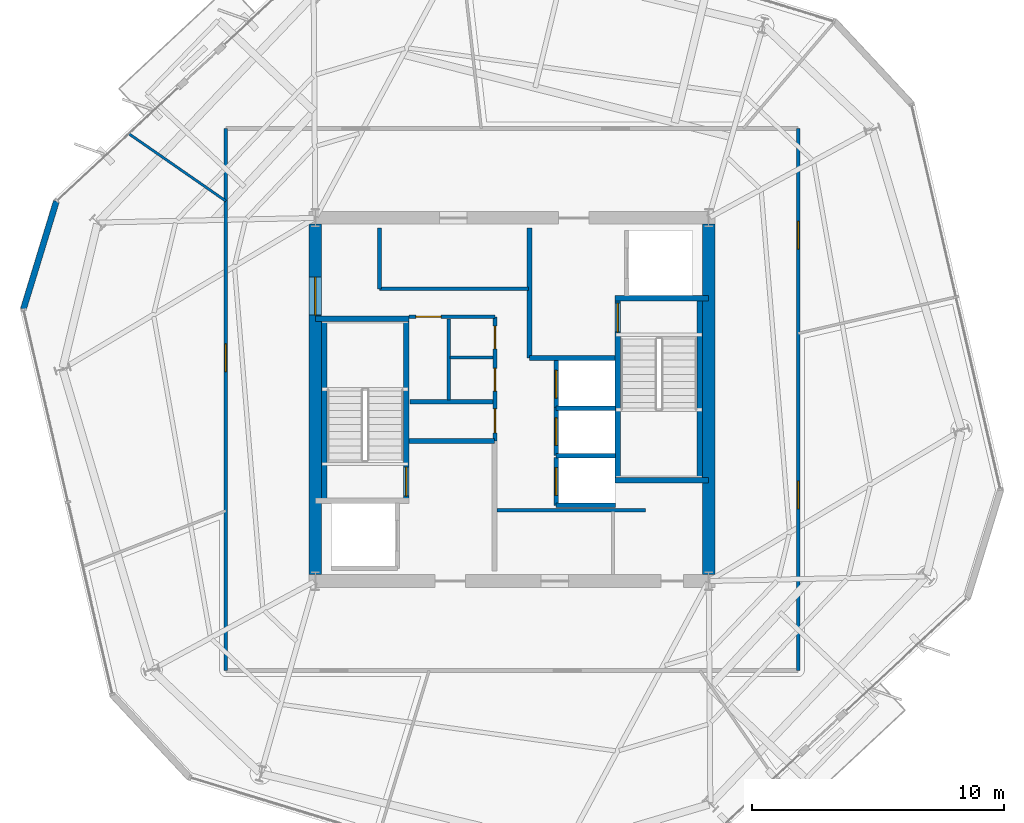
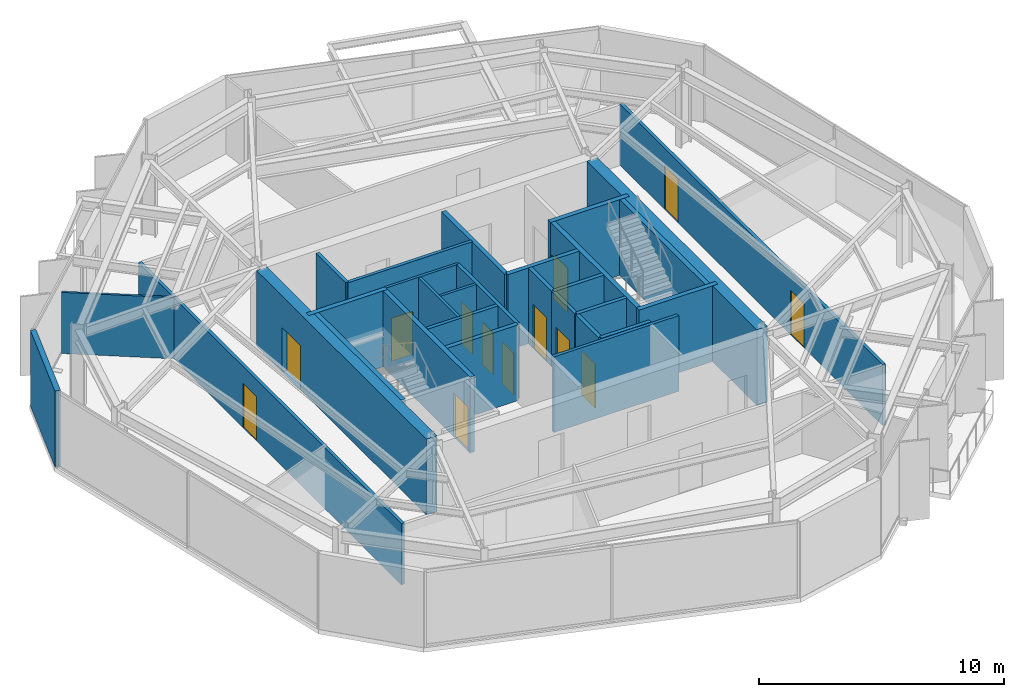
# One storey, part 7 of 11: 30 walls, 13 doors, 13 openings.
"""IFC4 building model written with IfcOpenShell, lengths in metres."""

from ifc_helpers import new_model, si_unit, direction, frame, frame_2d, origin, place, context, subcontext, project, spatial, rectangle, extrude, material, layer, layer_set, type_object, element, fill, save


model = new_model("IFC4")

# Units and contexts
model_context = context("Model", 3, precision=1e-05, world=origin(), true_north=direction((0.0, 1.0)))
body_context = subcontext(model_context, "Body", "Model", "MODEL_VIEW")
ifc_project = project(units=[si_unit("LENGTHUNIT", "METRE"), si_unit("AREAUNIT", "SQUARE_METRE"), si_unit("VOLUMEUNIT", "CUBIC_METRE"), si_unit("PLANEANGLEUNIT", "RADIAN"), si_unit("MASSUNIT", "GRAM", prefix="KILO")], contexts=[model_context])

# Site, building, storey
site_placement = place(None, origin())
site = spatial("IfcSite", under=ifc_project, at=site_placement, CompositionType="ELEMENT")
building_placement = place(site_placement, origin())
building = spatial("IfcBuilding", under=site, at=building_placement, Name="Kranzbogen Civic Tower", CompositionType="ELEMENT")
storey_placement = place(building_placement, frame((0.0, 0.0, 196.800048828125)))
storey = spatial("IfcBuildingStorey", under=building, at=storey_placement, Name="L47", CompositionType="ELEMENT", Elevation=196.800048828125)

# Walls
ifc_material_1 = material(Name="Double-Stud Acoustic Gypsum Partition")
ifc_layer_1 = layer(ifc_material_1, 0.14990234375, Name="Double-Stud Acoustic Gypsum Partition")
ifc_layer_set_1 = layer_set([ifc_layer_1], Name="Double-Stud Acoustic Gypsum Partition")
wall_type_1 = type_object("IfcWallType", Name="Acoustic Corridor and Clinical Partition 150 mm", PredefinedType="PARTITIONING", material=ifc_layer_set_1)
wall_1_placement = place(storey_placement, frame((24.39990234375, 20.610107421875, 0.0), z_axis=(0.0, 0.0, 1.0), x_axis=(1.0, 0.0, 0.0)))
element("IfcWall", 1, at=wall_1_placement, inside=storey, type_object=wall_type_1, Name="L47 records zone North wall", PredefinedType="PARTITIONING", context=body_context, shape_type="SweptSolid", body=[
    extrude(rectangle(XDim=5.900146484375, YDim=0.14990234375, at=frame_2d((2.9501953125, 0.0))), origin(), (0.0, 0.0, 1.0), 3.780029296875),
])
wall_2_placement = place(storey_placement, frame((19.75, 29.389892578125, 0.0), z_axis=(0.0, 0.0, 1.0), x_axis=(1.0, 0.0, 0.0)))
element("IfcWall", 2, at=wall_2_placement, inside=storey, type_object=wall_type_1, Name="L47 digital comms South wall", PredefinedType="PARTITIONING", context=body_context, shape_type="SweptSolid", body=[
    extrude(rectangle(XDim=5.89990234375, YDim=0.14990234375, at=frame_2d((2.949951171875, 0.0))), origin(), (0.0, 0.0, 1.0), 3.780029296875),
])
wall_3_placement = place(storey_placement, frame((19.75, 29.389892578125, 0.0), z_axis=(0.0, 0.0, 1.0), x_axis=(0.0, 1.0, 0.0)))
element("IfcWall", 3, at=wall_3_placement, inside=storey, type_object=wall_type_1, Name="L47 digital comms West wall", PredefinedType="PARTITIONING", context=body_context, shape_type="SweptSolid", body=[
    extrude(rectangle(XDim=2.41015625, YDim=0.14990234375, at=frame_2d((1.205078125, 0.0))), origin(), (0.0, 0.0, 1.0), 3.780029296875),
])

# Wall, openings, doors
wall_4_placement = place(storey_placement, frame((36.35009765625, 35.75, 0.0), z_axis=(0.0, 0.0, 1.0), x_axis=(0.0, -1.0, 0.0)))
wall_4 = element("IfcWall", 4, at=wall_4_placement, inside=storey, type_object=wall_type_1, Name="L47 corridor partition 02", PredefinedType="PARTITIONING", context=body_context, shape_type="SweptSolid", body=[
    extrude(rectangle(XDim=21.5, YDim=0.14990234375, at=frame_2d((10.75, 0.0))), origin(), (0.0, 0.0, 1.0), 3.050048828125),
])
opening_1_placement = place(wall_4_placement, frame((13.985107421875, 0.0, 0.0)))
opening_1 = element("IfcOpeningElement", 5, at=opening_1_placement, cuts=wall_4, Name="Opening D-COR60", PredefinedType="OPENING", context=body_context, shape_type="SweptSolid", body=[
    extrude(rectangle(XDim=1.10009765625, YDim=2.199951171875, at=frame_2d((0.550048828125, 1.10009765625))), frame((0.0, 0.0849609375, 0.0), z_axis=(0.0, -1.0, 0.0), x_axis=(1.0, 0.0, 0.0)), (0.0, 0.0, 1.0), 0.169921875),
])
opening_2_placement = place(wall_4_placement, frame((3.68994140625, 0.0, 0.0)))
opening_2 = element("IfcOpeningElement", 6, at=opening_2_placement, cuts=wall_4, Name="Opening D-COR60", PredefinedType="OPENING", context=body_context, shape_type="SweptSolid", body=[
    extrude(rectangle(XDim=1.10009765625, YDim=2.199951171875, at=frame_2d((0.550048828125, 1.10009765625))), frame((0.0, 0.0849609375, 0.0), z_axis=(0.0, -1.0, 0.0), x_axis=(1.0, 0.0, 0.0)), (0.0, 0.0, 1.0), 0.169921875),
])
ifc_material_2 = material(Name="Oak Timber and Fire Core", Category="wood")
door_type_1 = type_object("IfcDoorType", Name="Corridor Acoustic Fire Door 1100x2200", OperationType="NOTDEFINED", PredefinedType="DOOR", material=ifc_material_2)
door_1_placement = place(opening_1_placement, origin())
door_1 = element("IfcDoor", 7, at=door_1_placement, inside=storey, type_object=door_type_1, Name="L47 Citizen Services Kiosk door", OperationType="SINGLE_SWING_RIGHT", OverallHeight=2.199951171875, OverallWidth=1.10009765625, PredefinedType="DOOR", context=body_context, shape_type="SweptSolid", body=[
    extrude(rectangle(XDim=1.10009765625, YDim=2.199951171875, at=frame_2d((0.550048828125, 1.10009765625))), frame((0.0, 0.02490234375, 0.0), z_axis=(0.0, -1.0, 0.0), x_axis=(1.0, 0.0, 0.0)), (0.0, 0.0, 1.0), 0.050048828125),
])
fill(opening_1, door_1)
door_2_placement = place(opening_2_placement, origin())
door_2 = element("IfcDoor", 8, at=door_2_placement, inside=storey, type_object=door_type_1, Name="L47 Municipal Exhibition Showroom door", OperationType="SINGLE_SWING_LEFT", OverallHeight=2.199951171875, OverallWidth=1.10009765625, PredefinedType="DOOR", context=body_context, shape_type="SweptSolid", body=[
    extrude(rectangle(XDim=1.10009765625, YDim=2.199951171875, at=frame_2d((0.550048828125, 1.10009765625))), frame((0.0, 0.02490234375, 0.0), z_axis=(0.0, -1.0, 0.0), x_axis=(1.0, 0.0, 0.0)), (0.0, 0.0, 1.0), 0.050048828125),
])
fill(opening_2, door_2)

# Wall, opening, door
wall_5_placement = place(storey_placement, frame((13.64990234375, 14.25, 0.0), z_axis=(0.0, 0.0, 1.0), x_axis=(0.0, 1.0, 0.0)))
wall_5 = element("IfcWall", 9, at=wall_5_placement, inside=storey, type_object=wall_type_1, Name="L47 corridor partition 04", PredefinedType="PARTITIONING", context=body_context, shape_type="SweptSolid", body=[
    extrude(rectangle(XDim=21.5, YDim=0.14990234375, at=frame_2d((10.75, 0.0))), origin(), (0.0, 0.0, 1.0), 3.050048828125),
])
opening_3_placement = place(wall_5_placement, frame((11.85302734375, 0.0, 0.0)))
opening_3 = element("IfcOpeningElement", 10, at=opening_3_placement, cuts=wall_5, Name="Opening D-COR60", PredefinedType="OPENING", context=body_context, shape_type="SweptSolid", body=[
    extrude(rectangle(XDim=1.10009765625, YDim=2.199951171875, at=frame_2d((0.550048828125, 1.10009765625))), frame((0.0, 0.0849609375, 0.0), z_axis=(0.0, -1.0, 0.0), x_axis=(1.0, 0.0, 0.0)), (0.0, 0.0, 1.0), 0.169921875),
])
door_3_placement = place(opening_3_placement, origin())
door_3 = element("IfcDoor", 11, at=door_3_placement, inside=storey, type_object=door_type_1, Name="L47 Civic Reference Library door", OperationType="SINGLE_SWING_LEFT", OverallHeight=2.199951171875, OverallWidth=1.10009765625, PredefinedType="DOOR", context=body_context, shape_type="SweptSolid", body=[
    extrude(rectangle(XDim=1.10009765625, YDim=2.199951171875, at=frame_2d((0.550048828125, 1.10009765625))), frame((0.0, 0.02490234375, 0.0), z_axis=(0.0, -1.0, 0.0), x_axis=(1.0, 0.0, 0.0)), (0.0, 0.0, 1.0), 0.050048828125),
])
fill(opening_3, door_3)

ifc_material_3 = material(Name="Insulated Metal-Stud Gypsum Partition")
ifc_layer_2 = layer(ifc_material_3, 0.125, Name="Insulated Metal-Stud Gypsum Partition")
ifc_layer_set_2 = layer_set([ifc_layer_2], Name="Insulated Metal-Stud Gypsum Partition")
wall_type_2 = type_object("IfcWallType", Name="Acoustic Inter-Room Partition 125 mm", PredefinedType="PARTITIONING", material=ifc_layer_set_2)
wall_6_placement = place(storey_placement, frame((20.919921875, 28.280029296875, 0.0), z_axis=(0.0, 0.0, 1.0), x_axis=(1.0, 0.0, 0.0)))
wall_6 = element("IfcWall", 12, at=wall_6_placement, inside=storey, type_object=wall_type_2, Name="L47 core auxiliary North wall", PredefinedType="PARTITIONING", context=body_context, shape_type="SweptSolid", body=[
    extrude(rectangle(XDim=3.405029296875, YDim=0.125, at=frame_2d((1.70263671875, 0.0))), origin(), (0.0, 0.0, 1.0), 3.780029296875),
])
opening_4_placement = place(wall_6_placement, frame((0.27001953125, 0.0, 0.0)))
opening_4 = element("IfcOpeningElement", 13, at=opening_4_placement, cuts=wall_6, Name="Opening D-RSR10", PredefinedType="OPENING", context=body_context, shape_type="SweptSolid", body=[
    extrude(rectangle(XDim=1.0, YDim=2.14990234375, at=frame_2d((0.5, 1.074951171875))), frame((0.0, 0.072509765625, 0.0), z_axis=(0.0, -1.0, 0.0), x_axis=(1.0, 0.0, 0.0)), (0.0, 0.0, 1.0), 0.14501953125),
])
door_type_2 = type_object("IfcDoorType", Name="Core Archive and Riser Fire Door 1000x2150", OperationType="NOTDEFINED", PredefinedType="DOOR", material=ifc_material_2)
door_4_placement = place(opening_4_placement, origin())
door_4 = element("IfcDoor", 14, at=door_4_placement, inside=storey, type_object=door_type_2, Name="L47 Floor Supply Store door", OperationType="SINGLE_SWING_LEFT", OverallHeight=2.14990234375, OverallWidth=1.0, PredefinedType="DOOR", context=body_context, shape_type="SweptSolid", body=[
    extrude(rectangle(XDim=1.0, YDim=2.14990234375, at=frame_2d((0.5, 1.074951171875))), frame((0.0, 0.02490234375, 0.0), z_axis=(0.0, -1.0, 0.0), x_axis=(1.0, 0.0, 0.0)), (0.0, 0.0, 1.0), 0.050048828125),
])
fill(opening_4, door_4)

# Walls
wall_7_placement = place(storey_placement, frame((22.489990234375, 24.969970703125, 0.0), z_axis=(0.0, 0.0, 1.0), x_axis=(0.0, 1.0, 0.0)))
element("IfcWall", 15, at=wall_7_placement, inside=storey, type_object=wall_type_2, Name="L47 core auxiliary partition 3", PredefinedType="PARTITIONING", context=body_context, shape_type="SweptSolid", body=[
    extrude(rectangle(XDim=3.22998046875, YDim=0.125, at=frame_2d((1.614990234375, 0.0))), origin(), (0.0, 0.0, 1.0), 3.780029296875),
])
wall_8_placement = place(storey_placement, frame((22.550048828125, 26.659912109375, 0.0), z_axis=(0.0, 0.0, 1.0), x_axis=(1.0, 0.0, 0.0)))
element("IfcWall", 16, at=wall_8_placement, inside=storey, type_object=wall_type_2, Name="L47 core auxiliary partition 4", PredefinedType="PARTITIONING", context=body_context, shape_type="SweptSolid", body=[
    extrude(rectangle(XDim=1.699951171875, YDim=0.125, at=frame_2d((0.85009765625, 0.0))), origin(), (0.0, 0.0, 1.0), 3.780029296875),
])

# Wall, opening, door
ifc_material_4 = material(Name="Concrete C45/55", Category="concrete")
ifc_layer_3 = layer(ifc_material_4, 0.5, Name="Concrete C45/55")
ifc_layer_set_3 = layer_set([ifc_layer_3], Name="Concrete C45/55")
wall_type_3 = type_object("IfcWallType", Name="Central Core Shear Wall 500 mm", PredefinedType="SHEAR", material=ifc_layer_set_3)
wall_9_placement = place(storey_placement, frame((17.199951171875, 31.949951171875, 0.0), z_axis=(0.0, 0.0, 1.0), x_axis=(0.0, -1.0, 0.0)))
wall_9 = element("IfcWall", 17, at=wall_9_placement, inside=storey, type_object=wall_type_3, Name="L47 central core West shear wall", PredefinedType="SHEAR", context=body_context, shape_type="SweptSolid", body=[
    extrude(rectangle(XDim=13.89990234375, YDim=0.5, at=frame_2d((6.949951171875, 0.0))), origin(), (0.0, 0.0, 1.0), 3.780029296875),
])
opening_5_placement = place(wall_9_placement, frame((2.10009765625, 0.0, 0.0)))
opening_5 = element("IfcOpeningElement", 18, at=opening_5_placement, cuts=wall_9, Name="Opening D-DBL15", PredefinedType="OPENING", context=body_context, shape_type="SweptSolid", body=[
    extrude(rectangle(XDim=1.5, YDim=2.199951171875, at=frame_2d((0.75, 1.10009765625))), frame((0.0, 0.260009765625, 0.0), z_axis=(0.0, -1.0, 0.0), x_axis=(1.0, 0.0, 0.0)), (0.0, 0.0, 1.0), 0.52001953125),
])
ifc_material_5 = material(Name="Anodised Bronze and Glass", Category="glass")
door_type_3 = type_object("IfcDoorType", Name="Civic Lobby Double Door 1500x2200", OperationType="DOUBLE_DOOR_SINGLE_SWING", PredefinedType="DOOR", material=ifc_material_5)
door_5_placement = place(opening_5_placement, origin())
door_5 = element("IfcDoor", 19, at=door_5_placement, inside=storey, type_object=door_type_3, Name="L47 Central Lift Lobby West concourse door", OperationType="DOUBLE_DOOR_SINGLE_SWING", OverallHeight=2.199951171875, OverallWidth=1.5, PredefinedType="DOOR", context=body_context, shape_type="SweptSolid", body=[
    extrude(rectangle(XDim=1.5, YDim=2.199951171875, at=frame_2d((0.75, 1.10009765625))), frame((0.0, 0.02490234375, 0.0), z_axis=(0.0, -1.0, 0.0), x_axis=(1.0, 0.0, 0.0)), (0.0, 0.0, 1.0), 0.050048828125),
])
fill(opening_5, door_5)

# Wall
wall_10_placement = place(storey_placement, frame((32.800048828125, 18.050048828125, 0.0), z_axis=(0.0, 0.0, 1.0), x_axis=(0.0, 1.0, 0.0)))
element("IfcWall", 20, at=wall_10_placement, inside=storey, type_object=wall_type_3, Name="L47 central core East shear wall", PredefinedType="SHEAR", context=body_context, shape_type="SweptSolid", body=[
    extrude(rectangle(XDim=13.89990234375, YDim=0.5, at=frame_2d((6.949951171875, 0.0))), origin(), (0.0, 0.0, 1.0), 3.780029296875),
])

# Wall, opening, door
ifc_layer_4 = layer(ifc_material_4, 0.219970703125, Name="Concrete C45/55")
ifc_layer_set_4 = layer_set([ifc_layer_4], Name="Concrete C45/55")
wall_type_4 = type_object("IfcWallType", Name="Core Internal Stair Structural Wall 220 mm", PredefinedType="SOLIDWALL", material=ifc_layer_set_4)
wall_11_placement = place(storey_placement, frame((20.81005859375, 20.989990234375, 0.0), z_axis=(0.0, 0.0, 1.0), x_axis=(0.0, 1.0, 0.0)))
wall_11 = element("IfcWall", 21, at=wall_11_placement, inside=storey, type_object=wall_type_4, Name="L47 ST-T1 East structural stair wall", PredefinedType="SOLIDWALL", context=body_context, shape_type="SweptSolid", body=[
    extrude(rectangle(XDim=7.219970703125, YDim=0.219970703125, at=frame_2d((3.60986328125, 0.0))), origin(), (0.0, 0.0, 1.0), 3.780029296875),
])
opening_6_placement = place(wall_11_placement, frame((0.179931640625, 0.0, 0.0)))
opening_6 = element("IfcOpeningElement", 22, at=opening_6_placement, cuts=wall_11, Name="Opening D-ST90", PredefinedType="OPENING", context=body_context, shape_type="SweptSolid", body=[
    extrude(rectangle(XDim=1.14990234375, YDim=2.199951171875, at=frame_2d((0.574951171875, 1.10009765625))), frame((0.0, 0.1201171875, 0.0), z_axis=(0.0, -1.0, 0.0), x_axis=(1.0, 0.0, 0.0)), (0.0, 0.0, 1.0), 0.239990234375),
])
ifc_material_6 = material(Name="Steel S355", Category="steel")
door_type_4 = type_object("IfcDoorType", Name="Pressurized Stair and Lobby Fire Door 1150x2200", OperationType="NOTDEFINED", PredefinedType="DOOR", material=ifc_material_6)
door_6_placement = place(opening_6_placement, origin())
door_6 = element("IfcDoor", 23, at=door_6_placement, inside=storey, type_object=door_type_4, Name="L47 Stair ST-T1 fire door", OperationType="SINGLE_SWING_RIGHT", OverallHeight=2.199951171875, OverallWidth=1.14990234375, PredefinedType="DOOR", context=body_context, shape_type="SweptSolid", body=[
    extrude(rectangle(XDim=1.14990234375, YDim=2.199951171875, at=frame_2d((0.574951171875, 1.10009765625))), frame((0.0, 0.02490234375, 0.0), z_axis=(0.0, -1.0, 0.0), x_axis=(1.0, 0.0, 0.0)), (0.0, 0.0, 1.0), 0.050048828125),
])
fill(opening_6, door_6)

# Walls
wall_12_placement = place(storey_placement, frame((17.199951171875, 28.2099609375, 0.0), z_axis=(0.0, 0.0, 1.0), x_axis=(1.0, 0.0, 0.0)))
element("IfcWall", 24, at=wall_12_placement, inside=storey, type_object=wall_type_4, Name="L47 ST-T1 North structural stair wall", PredefinedType="SOLIDWALL", context=body_context, shape_type="SweptSolid", body=[
    extrude(rectangle(XDim=3.719970703125, YDim=0.219970703125, at=frame_2d((1.85986328125, 0.0))), origin(), (0.0, 0.0, 1.0), 3.780029296875),
])
wall_13_placement = place(storey_placement, frame((17.554931640625, 28.2099609375, 0.0), z_axis=(0.0, 0.0, 1.0), x_axis=(0.0, -1.0, 0.0)))
element("IfcWall", 25, at=wall_13_placement, inside=storey, type_object=wall_type_4, Name="L47 ST-T1 West structural stair wall", PredefinedType="SOLIDWALL", context=body_context, shape_type="SweptSolid", body=[
    extrude(rectangle(XDim=7.219970703125, YDim=0.219970703125, at=frame_2d((3.60986328125, 0.0))), origin(), (0.0, 0.0, 1.0), 3.780029296875),
])

# Wall, opening, door
wall_14_placement = place(storey_placement, frame((29.18994140625, 21.7900390625, 0.0), z_axis=(0.0, 0.0, 1.0), x_axis=(0.0, 1.0, 0.0)))
wall_14 = element("IfcWall", 26, at=wall_14_placement, inside=storey, type_object=wall_type_4, Name="L47 ST-T2 West structural stair wall", PredefinedType="SOLIDWALL", context=body_context, shape_type="SweptSolid", body=[
    extrude(rectangle(XDim=7.219970703125, YDim=0.219970703125, at=frame_2d((3.60986328125, 0.0))), origin(), (0.0, 0.0, 1.0), 3.780029296875),
])
opening_7_placement = place(wall_14_placement, frame((5.8798828125, 0.0, 0.0)))
opening_7 = element("IfcOpeningElement", 27, at=opening_7_placement, cuts=wall_14, Name="Opening D-ST90", PredefinedType="OPENING", context=body_context, shape_type="SweptSolid", body=[
    extrude(rectangle(XDim=1.14990234375, YDim=2.199951171875, at=frame_2d((0.574951171875, 1.10009765625))), frame((0.0, 0.1201171875, 0.0), z_axis=(0.0, -1.0, 0.0), x_axis=(1.0, 0.0, 0.0)), (0.0, 0.0, 1.0), 0.239990234375),
])
door_7_placement = place(opening_7_placement, origin())
door_7 = element("IfcDoor", 28, at=door_7_placement, inside=storey, type_object=door_type_4, Name="L47 Stair ST-T2 fire door", OperationType="SINGLE_SWING_LEFT", OverallHeight=2.199951171875, OverallWidth=1.14990234375, PredefinedType="DOOR", context=body_context, shape_type="SweptSolid", body=[
    extrude(rectangle(XDim=1.14990234375, YDim=2.199951171875, at=frame_2d((0.574951171875, 1.10009765625))), frame((0.0, 0.02490234375, 0.0), z_axis=(0.0, -1.0, 0.0), x_axis=(1.0, 0.0, 0.0)), (0.0, 0.0, 1.0), 0.050048828125),
])
fill(opening_7, door_7)

# Walls
for number, where, z_axis, x_axis, name in (
    (29, (29.080078125, 21.7900390625, 0.0), (0.0, 0.0, 1.0), (1.0, 0.0, 0.0), "L47 ST-T2 South structural stair wall"),
    (30, (29.080078125, 29.010009765625, 0.0), (0.0, 0.0, 1.0), (1.0, 0.0, 0.0), "L47 ST-T2 North structural stair wall"),
):
    element("IfcWall", number, at=place(storey_placement, frame(where, z_axis=z_axis, x_axis=x_axis)), inside=storey, type_object=wall_type_4, Name=name, PredefinedType="SOLIDWALL", context=body_context, shape_type="SweptSolid", body=[
        extrude(rectangle(XDim=3.719970703125, YDim=0.219970703125, at=frame_2d((1.85986328125, 0.0))), origin(), (0.0, 0.0, 1.0), 3.780029296875),
    ])
wall_15_placement = place(storey_placement, frame((32.445068359375, 29.010009765625, 0.0), z_axis=(0.0, 0.0, 1.0), x_axis=(0.0, -1.0, 0.0)))
element("IfcWall", 31, at=wall_15_placement, inside=storey, type_object=wall_type_4, Name="L47 ST-T2 East structural stair wall", PredefinedType="SOLIDWALL", context=body_context, shape_type="SweptSolid", body=[
    extrude(rectangle(XDim=7.219970703125, YDim=0.219970703125, at=frame_2d((3.60986328125, 0.0))), origin(), (0.0, 0.0, 1.0), 3.780029296875),
])
ifc_material_7 = material(Name="Demountable Aluminium and Gypsum Partition", Category="aluminium")
ifc_layer_5 = layer(ifc_material_7, 0.10009765625, Name="Demountable Aluminium and Gypsum Partition")
ifc_layer_set_5 = layer_set([ifc_layer_5], Name="Demountable Aluminium and Gypsum Partition")
wall_type_5 = type_object("IfcWallType", Name="Demountable Office Partition 100 mm", PredefinedType="MOVABLE", material=ifc_layer_set_5)
wall_16_placement = place(storey_placement, frame((13.64990234375, 32.87109375, 0.0), z_axis=(0.0, 0.0, 1.0), x_axis=(-0.821756681919, 0.569838534781, 0.0)))
element("IfcWall", 32, at=wall_16_placement, inside=storey, type_object=wall_type_5, Name="L47 radial room partition 02", PredefinedType="MOVABLE", context=body_context, shape_type="SweptSolid", body=[
    extrude(rectangle(XDim=4.664306640625, YDim=0.10009765625, at=frame_2d((2.33203125, 0.0))), origin(), (0.0, 0.0, 1.0), 3.050048828125),
])
ifc_material_8 = material(Name="Gypsum Fireboard and Concrete Block", Category="concrete")
ifc_layer_6 = layer(ifc_material_8, 0.199951171875, Name="Gypsum Fireboard and Concrete Block")
ifc_layer_set_6 = layer_set([ifc_layer_6], Name="Gypsum Fireboard and Concrete Block")
wall_type_6 = type_object("IfcWallType", Name="Fire-Rated Exit Passageway and Stair Wall 200 mm", PredefinedType="PARTITIONING", material=ifc_layer_set_6)
wall_17_placement = place(storey_placement, frame((20.919921875, 23.35009765625, 0.0), z_axis=(0.0, 0.0, 1.0), x_axis=(1.0, 0.0, 0.0)))
element("IfcWall", 33, at=wall_17_placement, inside=storey, type_object=wall_type_6, Name="L47 West firefighting lobby North wall", PredefinedType="PARTITIONING", context=body_context, shape_type="SweptSolid", body=[
    extrude(rectangle(XDim=3.380126953125, YDim=0.199951171875, at=frame_2d((1.68994140625, 0.0))), origin(), (0.0, 0.0, 1.0), 3.780029296875),
])
wall_18_placement = place(storey_placement, frame((25.699951171875, 26.64990234375, 0.0), z_axis=(0.0, 0.0, 1.0), x_axis=(0.0, 1.0, 0.0)))
element("IfcWall", 34, at=wall_18_placement, inside=storey, type_object=wall_type_6, Name="L47 East firefighting lobby West wall", PredefinedType="PARTITIONING", context=body_context, shape_type="SweptSolid", body=[
    extrude(rectangle(XDim=5.150146484375, YDim=0.199951171875, at=frame_2d((2.5751953125, 0.0))), origin(), (0.0, 0.0, 1.0), 3.780029296875),
])
wall_19_placement = place(storey_placement, frame((25.699951171875, 26.64990234375, 0.0), z_axis=(0.0, 0.0, 1.0), x_axis=(1.0, 0.0, 0.0)))
element("IfcWall", 35, at=wall_19_placement, inside=storey, type_object=wall_type_6, Name="L47 East firefighting lobby South wall", PredefinedType="PARTITIONING", context=body_context, shape_type="SweptSolid", body=[
    extrude(rectangle(XDim=3.380126953125, YDim=0.199951171875, at=frame_2d((1.68994140625, 0.0))), origin(), (0.0, 0.0, 1.0), 3.780029296875),
])

# Wall, opening, door
ifc_material_9 = material(Name="Gypsum Fireboard Shaftliner")
ifc_layer_7 = layer(ifc_material_9, 0.175048828125, Name="Gypsum Fireboard Shaftliner")
ifc_layer_set_7 = layer_set([ifc_layer_7], Name="Gypsum Fireboard Shaftliner")
wall_type_7 = type_object("IfcWallType", Name="Fire-Rated Lift and Service Shaft Wall 175 mm", PredefinedType="PARTITIONING", material=ifc_layer_set_7)
wall_20_placement = place(storey_placement, frame((26.75, 20.800048828125, 0.0), z_axis=(0.0, 0.0, 1.0), x_axis=(0.0, 1.0, 0.0)))
wall_20 = element("IfcWall", 36, at=wall_20_placement, inside=storey, type_object=wall_type_7, Name="L47 lift HP-01 landing wall", PredefinedType="PARTITIONING", context=body_context, shape_type="SweptSolid", body=[
    extrude(rectangle(XDim=1.89990234375, YDim=0.175048828125, at=frame_2d((0.949951171875, 0.0))), origin(), (0.0, 0.0, 1.0), 3.780029296875),
])
opening_8_placement = place(wall_20_placement, frame((0.39990234375, 0.0, 0.0)))
opening_8 = element("IfcOpeningElement", 37, at=opening_8_placement, cuts=wall_20, Name="Opening LD-HP-01", PredefinedType="OPENING", context=body_context, shape_type="SweptSolid", body=[
    extrude(rectangle(XDim=1.10009765625, YDim=2.199951171875, at=frame_2d((0.550048828125, 1.10009765625))), frame((0.0, 0.09765625, 0.0), z_axis=(0.0, -1.0, 0.0), x_axis=(1.0, 0.0, 0.0)), (0.0, 0.0, 1.0), 0.195068359375),
])
ifc_material_10 = material(Name="Pale Anodised Aluminium", Category="aluminium")
door_type_5 = type_object("IfcDoorType", Name="Passenger Lift Sliding Landing Door 1100x2200", OperationType="DOUBLE_DOOR_SLIDING", PredefinedType="DOOR", material=ifc_material_10)
door_8_placement = place(opening_8_placement, origin())
door_8 = element("IfcDoor", 38, at=door_8_placement, inside=storey, type_object=door_type_5, Name="L47 lift HP-01 sliding landing door", OperationType="DOUBLE_DOOR_SLIDING", OverallHeight=2.199951171875, OverallWidth=1.10009765625, PredefinedType="DOOR", context=body_context, shape_type="SweptSolid", body=[
    extrude(rectangle(XDim=1.10009765625, YDim=2.199951171875, at=frame_2d((0.550048828125, 1.10009765625))), frame((0.0, 0.02490234375, 0.0), z_axis=(0.0, -1.0, 0.0), x_axis=(1.0, 0.0, 0.0)), (0.0, 0.0, 1.0), 0.050048828125),
])
fill(opening_8, door_8)

# Wall
wall_21_placement = place(storey_placement, frame((26.75, 20.800048828125, 0.0), z_axis=(0.0, 0.0, 1.0), x_axis=(1.0, 0.0, 0.0)))
element("IfcWall", 39, at=wall_21_placement, inside=storey, type_object=wall_type_7, Name="L47 lift HP-01 side wall", PredefinedType="PARTITIONING", context=body_context, shape_type="SweptSolid", body=[
    extrude(rectangle(XDim=2.35009765625, YDim=0.175048828125, at=frame_2d((1.175048828125, 0.0))), origin(), (0.0, 0.0, 1.0), 3.780029296875),
])

# Wall, opening, door
wall_22_placement = place(storey_placement, frame((26.75, 22.77490234375, 0.0), z_axis=(0.0, 0.0, 1.0), x_axis=(0.0, 1.0, 0.0)))
wall_22 = element("IfcWall", 40, at=wall_22_placement, inside=storey, type_object=wall_type_7, Name="L47 lift HP-02 landing wall", PredefinedType="PARTITIONING", context=body_context, shape_type="SweptSolid", body=[
    extrude(rectangle(XDim=1.900146484375, YDim=0.175048828125, at=frame_2d((0.9501953125, 0.0))), origin(), (0.0, 0.0, 1.0), 3.780029296875),
])
opening_9_placement = place(wall_22_placement, frame((0.39990234375, 0.0, 0.0)))
opening_9 = element("IfcOpeningElement", 41, at=opening_9_placement, cuts=wall_22, Name="Opening LD-HP-02", PredefinedType="OPENING", context=body_context, shape_type="SweptSolid", body=[
    extrude(rectangle(XDim=1.10009765625, YDim=2.199951171875, at=frame_2d((0.550048828125, 1.10009765625))), frame((0.0, 0.09765625, 0.0), z_axis=(0.0, -1.0, 0.0), x_axis=(1.0, 0.0, 0.0)), (0.0, 0.0, 1.0), 0.195068359375),
])
door_9_placement = place(opening_9_placement, origin())
door_9 = element("IfcDoor", 42, at=door_9_placement, inside=storey, type_object=door_type_5, Name="L47 lift HP-02 sliding landing door", OperationType="DOUBLE_DOOR_SLIDING", OverallHeight=2.199951171875, OverallWidth=1.10009765625, PredefinedType="DOOR", context=body_context, shape_type="SweptSolid", body=[
    extrude(rectangle(XDim=1.10009765625, YDim=2.199951171875, at=frame_2d((0.550048828125, 1.10009765625))), frame((0.0, 0.02490234375, 0.0), z_axis=(0.0, -1.0, 0.0), x_axis=(1.0, 0.0, 0.0)), (0.0, 0.0, 1.0), 0.050048828125),
])
fill(opening_9, door_9)

# Wall
wall_23_placement = place(storey_placement, frame((26.75, 22.77490234375, 0.0), z_axis=(0.0, 0.0, 1.0), x_axis=(1.0, 0.0, 0.0)))
element("IfcWall", 43, at=wall_23_placement, inside=storey, type_object=wall_type_7, Name="L47 lift HP-02 side wall", PredefinedType="PARTITIONING", context=body_context, shape_type="SweptSolid", body=[
    extrude(rectangle(XDim=2.35009765625, YDim=0.175048828125, at=frame_2d((1.175048828125, 0.0))), origin(), (0.0, 0.0, 1.0), 3.780029296875),
])

# Wall, opening, door
wall_24_placement = place(storey_placement, frame((26.75, 24.64990234375, 0.0), z_axis=(0.0, 0.0, 1.0), x_axis=(0.0, 1.0, 0.0)))
wall_24 = element("IfcWall", 44, at=wall_24_placement, inside=storey, type_object=wall_type_7, Name="L47 lift HP-03 landing wall", PredefinedType="PARTITIONING", context=body_context, shape_type="SweptSolid", body=[
    extrude(rectangle(XDim=1.900146484375, YDim=0.175048828125, at=frame_2d((0.9501953125, 0.0))), origin(), (0.0, 0.0, 1.0), 3.780029296875),
])
opening_10_placement = place(wall_24_placement, frame((0.39990234375, 0.0, 0.0)))
opening_10 = element("IfcOpeningElement", 45, at=opening_10_placement, cuts=wall_24, Name="Opening LD-HP-03", PredefinedType="OPENING", context=body_context, shape_type="SweptSolid", body=[
    extrude(rectangle(XDim=1.10009765625, YDim=2.199951171875, at=frame_2d((0.550048828125, 1.10009765625))), frame((0.0, 0.09765625, 0.0), z_axis=(0.0, -1.0, 0.0), x_axis=(1.0, 0.0, 0.0)), (0.0, 0.0, 1.0), 0.195068359375),
])
door_10_placement = place(opening_10_placement, origin())
door_10 = element("IfcDoor", 46, at=door_10_placement, inside=storey, type_object=door_type_5, Name="L47 lift HP-03 sliding landing door", OperationType="DOUBLE_DOOR_SLIDING", OverallHeight=2.199951171875, OverallWidth=1.10009765625, PredefinedType="DOOR", context=body_context, shape_type="SweptSolid", body=[
    extrude(rectangle(XDim=1.10009765625, YDim=2.199951171875, at=frame_2d((0.550048828125, 1.10009765625))), frame((0.0, 0.02490234375, 0.0), z_axis=(0.0, -1.0, 0.0), x_axis=(1.0, 0.0, 0.0)), (0.0, 0.0, 1.0), 0.050048828125),
])
fill(opening_10, door_10)

# Walls
wall_25_placement = place(storey_placement, frame((26.75, 24.64990234375, 0.0), z_axis=(0.0, 0.0, 1.0), x_axis=(1.0, 0.0, 0.0)))
element("IfcWall", 47, at=wall_25_placement, inside=storey, type_object=wall_type_7, Name="L47 lift HP-03 side wall", PredefinedType="PARTITIONING", context=body_context, shape_type="SweptSolid", body=[
    extrude(rectangle(XDim=2.35009765625, YDim=0.175048828125, at=frame_2d((1.175048828125, 0.0))), origin(), (0.0, 0.0, 1.0), 3.780029296875),
])
ifc_layer_8 = layer(ifc_material_10, 0.239990234375, Name="Pale Anodised Aluminium")
ifc_layer_set_8 = layer_set([ifc_layer_8], Name="Pale Anodised Aluminium")
wall_type_8 = type_object("IfcWallType", Name="Insulated Aluminium Facade Portal Wall 240 mm", PredefinedType="STANDARD", material=ifc_layer_set_8)
wall_26_placement = place(storey_placement, frame((6.930908203125, 32.860107421875, 0.0), z_axis=(0.0, 0.0, 1.0), x_axis=(-0.29232266577, -0.956319747301, 0.0)))
element("IfcWall", 48, at=wall_26_placement, inside=storey, type_object=wall_type_8, Name="L47 chamfered corner facade spandrel 2", PredefinedType="STANDARD", context=body_context, shape_type="SweptSolid", body=[
    extrude(rectangle(XDim=4.46728515625, YDim=0.239990234375, at=frame_2d((2.233642578125, 0.0))), origin(), (0.0, 0.0, 1.0), 3.780029296875),
])

# Wall, openings, doors
ifc_material_11 = material(Name="Moisture-Resistant Gypsum Assembly")
ifc_layer_9 = layer(ifc_material_11, 0.159912109375, Name="Moisture-Resistant Gypsum Assembly")
ifc_layer_set_9 = layer_set([ifc_layer_9], Name="Moisture-Resistant Gypsum Assembly")
wall_type_9 = type_object("IfcWallType", Name="Sanitary and Plumbing Wet Wall 160 mm", PredefinedType="PLUMBINGWALL", material=ifc_layer_set_9)
wall_27_placement = place(storey_placement, frame((24.324951171875, 23.35009765625, 0.0), z_axis=(0.0, 0.0, 1.0), x_axis=(0.0, 1.0, 0.0)))
wall_27 = element("IfcWall", 49, at=wall_27_placement, inside=storey, type_object=wall_type_9, Name="L47 core auxiliary East wall", PredefinedType="PLUMBINGWALL", context=body_context, shape_type="SweptSolid", body=[
    extrude(rectangle(XDim=4.929931640625, YDim=0.159912109375, at=frame_2d((2.46484375, 0.0))), origin(), (0.0, 0.0, 1.0), 3.780029296875),
])
opening_11_placement = place(wall_27_placement, frame((0.324951171875, 0.0, 0.0)))
opening_11 = element("IfcOpeningElement", 50, at=opening_11_placement, cuts=wall_27, Name="Opening D-AWC95", PredefinedType="OPENING", context=body_context, shape_type="SweptSolid", body=[
    extrude(rectangle(XDim=0.949951171875, YDim=2.10009765625, at=frame_2d((0.47509765625, 1.050048828125))), frame((0.0, 0.08984375, 0.0), z_axis=(0.0, -1.0, 0.0), x_axis=(1.0, 0.0, 0.0)), (0.0, 0.0, 1.0), 0.179931640625),
])
opening_12_placement = place(wall_27_placement, frame((1.985107421875, 0.0, 0.0)))
opening_12 = element("IfcOpeningElement", 51, at=opening_12_placement, cuts=wall_27, Name="Opening D-WC90", PredefinedType="OPENING", context=body_context, shape_type="SweptSolid", body=[
    extrude(rectangle(XDim=0.89990234375, YDim=2.10009765625, at=frame_2d((0.449951171875, 1.050048828125))), frame((0.0, 0.08984375, 0.0), z_axis=(0.0, -1.0, 0.0), x_axis=(1.0, 0.0, 0.0)), (0.0, 0.0, 1.0), 0.179931640625),
])
opening_13_placement = place(wall_27_placement, frame((3.659912109375, 0.0, 0.0)))
opening_13 = element("IfcOpeningElement", 52, at=opening_13_placement, cuts=wall_27, Name="Opening D-WC90", PredefinedType="OPENING", context=body_context, shape_type="SweptSolid", body=[
    extrude(rectangle(XDim=0.89990234375, YDim=2.10009765625, at=frame_2d((0.449951171875, 1.050048828125))), frame((0.0, 0.08984375, 0.0), z_axis=(0.0, -1.0, 0.0), x_axis=(1.0, 0.0, 0.0)), (0.0, 0.0, 1.0), 0.179931640625),
])
ifc_material_12 = material(Name="Moisture-Resistant Laminate")
door_type_6 = type_object("IfcDoorType", Name="Accessible Restroom Door 950x2100", OperationType="NOTDEFINED", PredefinedType="DOOR", material=ifc_material_12)
door_11_placement = place(opening_11_placement, origin())
door_11 = element("IfcDoor", 53, at=door_11_placement, inside=storey, type_object=door_type_6, Name="L47 Accessible Restroom door", OperationType="SINGLE_SWING_RIGHT", OverallHeight=2.10009765625, OverallWidth=0.949951171875, PredefinedType="DOOR", context=body_context, shape_type="SweptSolid", body=[
    extrude(rectangle(XDim=0.949951171875, YDim=2.10009765625, at=frame_2d((0.47509765625, 1.050048828125))), frame((0.0, 0.02490234375, 0.0), z_axis=(0.0, -1.0, 0.0), x_axis=(1.0, 0.0, 0.0)), (0.0, 0.0, 1.0), 0.050048828125),
])
fill(opening_11, door_11)
door_type_7 = type_object("IfcDoorType", Name="Standard Restroom and Store Door 900x2100", OperationType="NOTDEFINED", PredefinedType="DOOR", material=ifc_material_12)
door_12_placement = place(opening_12_placement, origin())
door_12 = element("IfcDoor", 54, at=door_12_placement, inside=storey, type_object=door_type_7, Name="L47 Gender-Neutral Restroom door", OperationType="SINGLE_SWING_LEFT", OverallHeight=2.10009765625, OverallWidth=0.89990234375, PredefinedType="DOOR", context=body_context, shape_type="SweptSolid", body=[
    extrude(rectangle(XDim=0.89990234375, YDim=2.10009765625, at=frame_2d((0.449951171875, 1.050048828125))), frame((0.0, 0.02490234375, 0.0), z_axis=(0.0, -1.0, 0.0), x_axis=(1.0, 0.0, 0.0)), (0.0, 0.0, 1.0), 0.050048828125),
])
fill(opening_12, door_12)
door_13_placement = place(opening_13_placement, origin())
door_13 = element("IfcDoor", 55, at=door_13_placement, inside=storey, type_object=door_type_7, Name="L47 Floor IT Patch Closet door", OperationType="SINGLE_SWING_RIGHT", OverallHeight=2.10009765625, OverallWidth=0.89990234375, PredefinedType="DOOR", context=body_context, shape_type="SweptSolid", body=[
    extrude(rectangle(XDim=0.89990234375, YDim=2.10009765625, at=frame_2d((0.449951171875, 1.050048828125))), frame((0.0, 0.02490234375, 0.0), z_axis=(0.0, -1.0, 0.0), x_axis=(1.0, 0.0, 0.0)), (0.0, 0.0, 1.0), 0.050048828125),
])
fill(opening_13, door_13)

# Wall
wall_28_placement = place(storey_placement, frame((20.949951171875, 24.909912109375, 0.0), z_axis=(0.0, 0.0, 1.0), x_axis=(1.0, 0.0, 0.0)))
element("IfcWall", 56, at=wall_28_placement, inside=storey, type_object=wall_type_9, Name="L47 core auxiliary partition 2", PredefinedType="PLUMBINGWALL", context=body_context, shape_type="SweptSolid", body=[
    extrude(rectangle(XDim=3.300048828125, YDim=0.159912109375, at=frame_2d((1.64990234375, 0.0))), origin(), (0.0, 0.0, 1.0), 3.780029296875),
])

save(model, "model.ifc")
